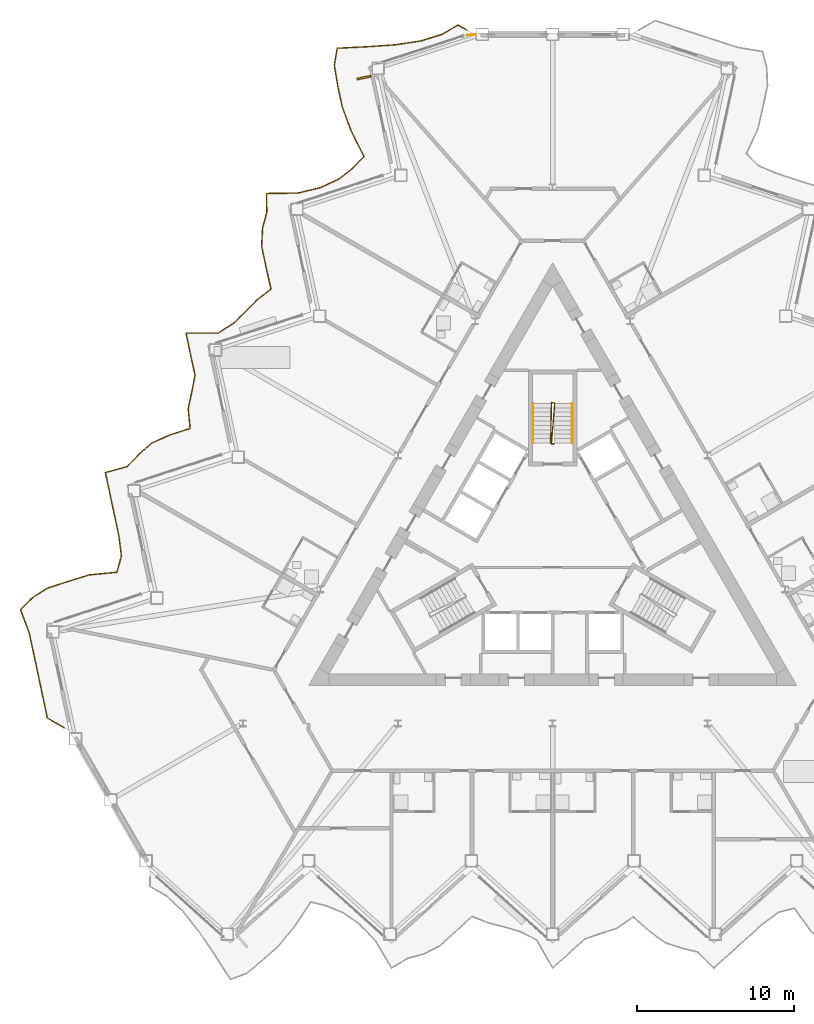
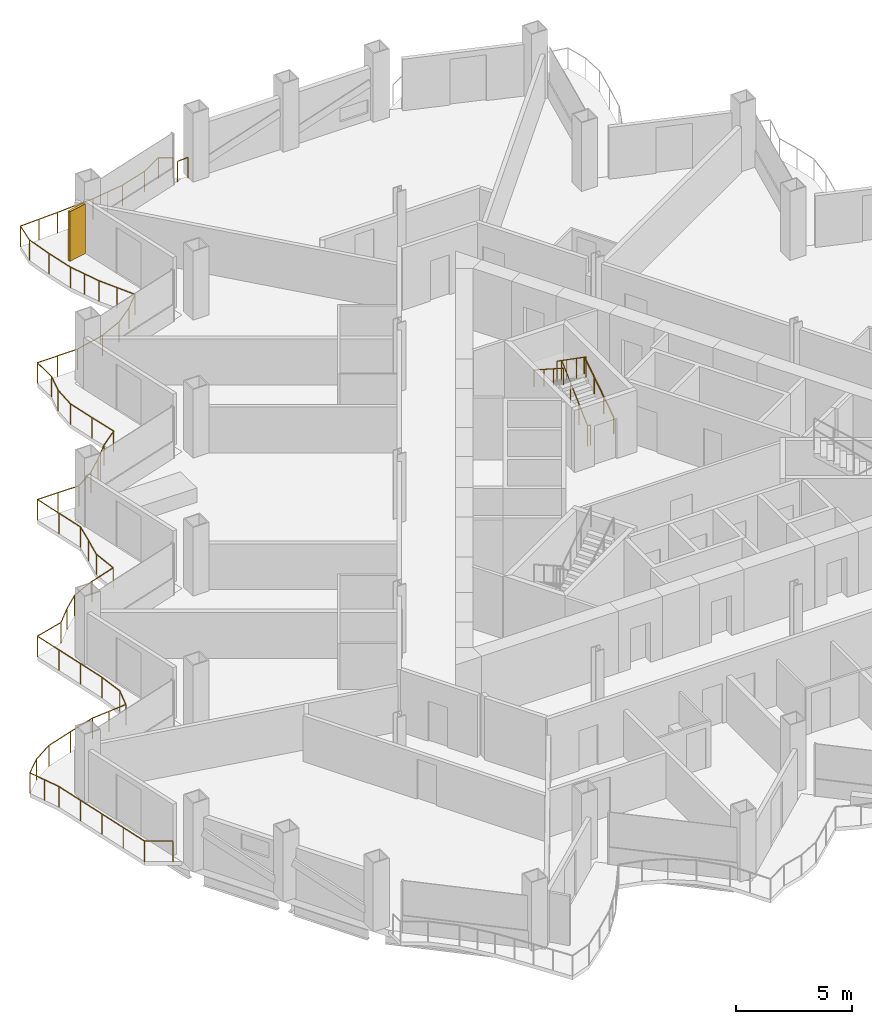
# One storey, part 20 of 23: 5 railings, 1 shading device.
"""IFC4 building model written with IfcOpenShell, lengths in metres."""

from ifc_helpers import new_model, si_unit, direction, frame, origin, origin_2d, place, context, subcontext, project, spatial, rectangle, circle, extrude, material, layer, layer_set, type_object, element, save


model = new_model("IFC4")

# Units and contexts
model_context = context("Model", 3, precision=1e-05, world=origin(), true_north=direction((0.0, 1.0)))
body_context = subcontext(model_context, "Body", "Model", "MODEL_VIEW")
ifc_project = project(units=[si_unit("LENGTHUNIT", "METRE"), si_unit("AREAUNIT", "SQUARE_METRE"), si_unit("VOLUMEUNIT", "CUBIC_METRE"), si_unit("PLANEANGLEUNIT", "RADIAN"), si_unit("MASSUNIT", "GRAM", prefix="KILO")], contexts=[model_context])

# Site, building, storey
site_placement = place(None, origin())
site = spatial("IfcSite", under=ifc_project, at=site_placement, CompositionType="ELEMENT")
building_placement = place(site_placement, origin())
building = spatial("IfcBuilding", under=site, at=building_placement, Name="Cormorant Prow Tower", CompositionType="ELEMENT")
storey_placement = place(building_placement, frame((0.0, 0.0, 172.800048828125)))
storey = spatial("IfcBuildingStorey", under=building, at=storey_placement, Name="L36", CompositionType="ELEMENT", Elevation=172.800048828125)

# Railings
ifc_material_1 = material(Name="Aluminium 6063-T6", Category="aluminium")
railing_type_1 = type_object("IfcRailingType", Name="Balcony guard 1100", PredefinedType="GUARDRAIL", material=ifc_material_1)
railing_1_placement = place(storey_placement, frame((-5.452880859375, 32.683837890625, 0.0)))
element("IfcRailing", 1, at=railing_1_placement, inside=storey, type_object=railing_type_1, Name="Balcony guard WNW", PredefinedType="GUARDRAIL", context=body_context, shape_type="SweptSolid", body=[
    extrude(circle(Radius=0.02392578125, at=origin_2d()), frame((0.0, 0.0, 1.076171875), z_axis=(-0.866038622153, 0.499977104415, 0.0), x_axis=(-0.499977104415, -0.866038622153, 0.0)), (0.0, 0.0, 1.0), 0.63623046875),
    extrude(circle(Radius=0.02392578125, at=origin_2d()), frame((-0.551025390625, 0.318115234375, 1.076171875), z_axis=(-0.866663041121, -0.498893949809, 0.0), x_axis=(0.498893949809, -0.866663041121, 0.0)), (0.0, 0.0, 1.0), 1.182373046875),
    extrude(circle(Radius=0.02392578125, at=origin_2d()), frame((-1.57568359375, -0.271728515625, 1.076171875), z_axis=(-0.953826861805, -0.300356983769, 0.0), x_axis=(0.300356983769, -0.953826861805, 0.0)), (0.0, 0.0, 1.0), 1.388427734375),
    extrude(circle(Radius=0.02392578125, at=origin_2d()), frame((-2.89990234375, -0.688720703125, 1.076171875), z_axis=(-0.988627028281, -0.150388160943, 0.0), x_axis=(0.150388160943, -0.988627028281, 0.0)), (0.0, 0.0, 1.0), 1.637939453125),
    extrude(circle(Radius=0.02392578125, at=origin_2d()), frame((-4.519287109375, -0.93505859375, 1.076171875), z_axis=(-0.997592938888, -0.069342110443, 0.0), x_axis=(0.069342110443, -0.997592938888, 0.0)), (0.0, 0.0, 1.0), 1.830810546875),
    extrude(circle(Radius=0.02392578125, at=origin_2d()), frame((-6.345703125, -1.06201171875, 1.076171875), z_axis=(-0.998798653488, -0.049002548825, 0.0), x_axis=(0.049002548825, -0.998798653488, 0.0)), (0.0, 0.0, 1.0), 1.88818359375),
    extrude(circle(Radius=0.02392578125, at=origin_2d()), frame((-8.231689453125, -1.154541015625, 1.076171875), z_axis=(-0.169914413175, -0.985458823186, 0.0), x_axis=(0.985458823186, -0.169914413175, 0.0)), (0.0, 0.0, 1.0), 1.090576171875),
    extrude(circle(Radius=0.02392578125, at=origin_2d()), frame((-8.4169921875, -2.229248046875, 1.076171875), z_axis=(0.163531909197, -0.986538045224, 0.0), x_axis=(0.986538045224, 0.163531909197, 0.0)), (0.0, 0.0, 1.0), 1.32421875),
    extrude(circle(Radius=0.02392578125, at=origin_2d()), frame((-8.200439453125, -3.53564453125, 1.076171875), z_axis=(0.208002968159, -0.978128194685, 0.0), x_axis=(0.978128194685, 0.208002968159, 0.0)), (0.0, 0.0, 1.0), 1.376708984375),
    extrude(circle(Radius=0.02392578125, at=origin_2d()), frame((-7.9140625, -4.88232421875, 1.076171875), z_axis=(0.347145599301, -0.937811245873, 0.0), x_axis=(0.937811245873, 0.347145599301, 0.0)), (0.0, 0.0, 1.0), 1.60205078125),
    extrude(circle(Radius=0.02392578125, at=origin_2d()), frame((-7.35791015625, -6.384765625, 1.076171875), z_axis=(0.446212366822, -0.894927105241, 0.0), x_axis=(0.894927105241, 0.446212366822, 0.0)), (0.0, 0.0, 1.0), 1.853759765625),
    extrude(circle(Radius=0.02392578125, at=origin_2d()), frame((-6.53076171875, -8.043701171875, 1.076171875), z_axis=(-0.700724814404, -0.713431660692, 0.0), x_axis=(0.713431660692, -0.700724814404, 0.0)), (0.0, 0.0, 1.0), 1.056640625),
    extrude(circle(Radius=0.02392578125, at=origin_2d()), frame((-7.271240234375, -8.797607421875, 1.076171875), z_axis=(-0.791037314197, -0.611767903332, 0.0), x_axis=(0.611767903332, -0.791037314197, 0.0)), (0.0, 0.0, 1.0), 1.105712890625),
    extrude(circle(Radius=0.02392578125, at=origin_2d()), frame((-8.14599609375, -9.47412109375, 1.076171875), z_axis=(-0.90658206108, -0.422029580158, 0.0), x_axis=(0.422029580158, -0.90658206108, 0.0)), (0.0, 0.0, 1.0), 1.24951171875),
    extrude(circle(Radius=0.02392578125, at=origin_2d()), frame((-9.27880859375, -10.00146484375, 1.076171875), z_axis=(-0.971860383997, -0.23555762356, 0.0), x_axis=(0.23555762356, -0.971860383997, 0.0)), (0.0, 0.0, 1.0), 1.483154296875),
    extrude(circle(Radius=0.02392578125, at=origin_2d()), frame((-10.72021484375, -10.350830078125, 1.076171875), z_axis=(-0.999908124347, -0.01355517853, 0.0), x_axis=(0.01355517853, -0.999908124347, 0.0)), (0.0, 0.0, 1.0), 1.999267578125),
    extrude(circle(Radius=0.02392578125, at=origin_2d()), frame((-12.71923828125, -10.3779296875, 1.076171875), z_axis=(0.012106643957, -0.9999267119, 0.0), x_axis=(0.9999267119, 0.012106643957, 0.0)), (0.0, 0.0, 1.0), 1.189697265625),
    extrude(circle(Radius=0.02392578125, at=origin_2d()), frame((-12.704833984375, -11.567626953125, 1.076171875), z_axis=(-0.253836229933, -0.967247211613, 0.0), x_axis=(0.967247211613, -0.253836229933, 0.0)), (0.0, 0.0, 1.0), 1.060791015625),
    extrude(circle(Radius=0.02392578125, at=origin_2d()), frame((-12.97412109375, -12.59375, 1.076171875), z_axis=(-0.048381770331, -0.998828916431, 0.0), x_axis=(0.998828916431, -0.048381770331, 0.0)), (0.0, 0.0, 1.0), 1.150634765625),
    extrude(circle(Radius=0.02392578125, at=origin_2d()), frame((-13.02978515625, -13.742919921875, 1.076171875), z_axis=(0.208002968159, -0.978128194685, 0.0), x_axis=(0.978128194685, 0.208002968159, 0.0)), (0.0, 0.0, 1.0), 1.376708984375),
    extrude(circle(Radius=0.02392578125, at=origin_2d()), frame((-12.743408203125, -15.089599609375, 1.076171875), z_axis=(0.218584635198, -0.975817993919, 0.0), x_axis=(0.975817993919, 0.218584635198, 0.0)), (0.0, 0.0, 1.0), 1.390625),
    extrude(circle(Radius=0.02392578125, at=origin_2d()), frame((-12.439453125, -16.446533203125, 1.076171875), z_axis=(-0.786049268655, -0.618163851456, 0.0), x_axis=(0.618163851456, -0.786049268655, 0.0)), (0.0, 0.0, 1.0), 1.102294921875),
    extrude(circle(Radius=0.02392578125, at=origin_2d()), frame((-13.305908203125, -17.1279296875, 1.076171875), z_axis=(-0.699086114757, -0.715037484439, 0.0), x_axis=(0.715037484439, -0.699086114757, 0.0)), (0.0, 0.0, 1.0), 1.05615234375),
    extrude(circle(Radius=0.02392578125, at=origin_2d()), frame((-14.044189453125, -17.883056640625, 1.076171875), z_axis=(-0.724845128214, -0.688911852202, 0.0), x_axis=(0.688911852202, -0.724845128214, 0.0)), (0.0, 0.0, 1.0), 1.066650390625),
    extrude(circle(Radius=0.02392578125, at=origin_2d()), frame((-14.8173828125, -18.617919921875, 1.076171875), z_axis=(-0.837767194075, -0.546027589534, 0.0), x_axis=(0.546027589534, -0.837767194075, 0.0)), (0.0, 0.0, 1.0), 1.147216796875),
    extrude(circle(Radius=0.02392578125, at=origin_2d()), frame((-15.778564453125, -19.244384765625, 1.076171875), z_axis=(-0.999995940652, 0.002849329523, 0.0), x_axis=(-0.002849329523, -0.999995940652, 0.0)), (0.0, 0.0, 1.0), 2.056396484375),
    extrude(circle(Radius=0.02392578125, at=origin_2d()), frame((-17.8349609375, -19.238525390625, 1.076171875), z_axis=(0.207833305176, -0.978164258834, 0.0), x_axis=(0.978164258834, 0.207833305176, 0.0)), (0.0, 0.0, 1.0), 1.376708984375),
    extrude(circle(Radius=0.02392578125, at=origin_2d()), frame((-17.548828125, -20.585205078125, 1.076171875), z_axis=(0.208002968159, -0.978128194685, 0.0), x_axis=(0.978128194685, 0.208002968159, 0.0)), (0.0, 0.0, 1.0), 1.376708984375),
    extrude(circle(Radius=0.02392578125, at=origin_2d()), frame((-17.262451171875, -21.931884765625, 1.076171875), z_axis=(-0.189909697907, -0.981801561743, 0.0), x_axis=(0.981801561743, -0.189909697907, 0.0)), (0.0, 0.0, 1.0), 1.08251953125),
    extrude(circle(Radius=0.02392578125, at=origin_2d()), frame((-17.468017578125, -22.99462890625, 1.076171875), z_axis=(-0.209063998537, -0.977901960585, 0.0), x_axis=(0.977901960585, -0.209063998537, 0.0)), (0.0, 0.0, 1.0), 1.075439453125),
    extrude(circle(Radius=0.02392578125, at=origin_2d()), frame((-17.69287109375, -24.04638671875, 1.076171875), z_axis=(0.095423555182, -0.995436760983, 0.0), x_axis=(0.995436760983, 0.095423555182, 0.0)), (0.0, 0.0, 1.0), 1.256103515625),
    extrude(circle(Radius=0.02392578125, at=origin_2d()), frame((-17.572998046875, -25.296875, 1.076171875), z_axis=(-0.951032765546, -0.309090082108, 0.0), x_axis=(0.309090082108, -0.951032765546, 0.0)), (0.0, 0.0, 1.0), 1.376708984375),
    extrude(circle(Radius=0.02392578125, at=origin_2d()), frame((-18.88232421875, -25.722412109375, 1.076171875), z_axis=(-0.911438592886, -0.41143613283, 0.0), x_axis=(0.41143613283, -0.911438592886, 0.0)), (0.0, 0.0, 1.0), 1.259765625),
    extrude(circle(Radius=0.02392578125, at=origin_2d()), frame((-20.030517578125, -26.24072265625, 1.076171875), z_axis=(-0.743440776752, -0.668801772922, 0.0), x_axis=(0.668801772922, -0.743440776752, 0.0)), (0.0, 0.0, 1.0), 1.076171875),
    extrude(circle(Radius=0.02392578125, at=origin_2d()), frame((-20.83056640625, -26.96044921875, 1.076171875), z_axis=(-0.694255556415, -0.719728575497, 0.0), x_axis=(0.719728575497, -0.694255556415, 0.0)), (0.0, 0.0, 1.0), 1.05419921875),
    extrude(circle(Radius=0.02392578125, at=origin_2d()), frame((-21.5625, -27.71923828125, 1.076171875), z_axis=(-0.964536414051, -0.263949817141, 0.0), x_axis=(0.263949817141, -0.964536414051, 0.0)), (0.0, 0.0, 1.0), 1.439208984375),
    extrude(circle(Radius=0.02392578125, at=origin_2d()), frame((-22.95068359375, -28.09912109375, 1.076171875), z_axis=(0.207797260524, -0.978171916648, 0.0), x_axis=(0.978171916648, 0.207797260524, 0.0)), (0.0, 0.0, 1.0), 1.376953125),
    extrude(circle(Radius=0.02392578125, at=origin_2d()), frame((-22.66455078125, -29.446044921875, 1.076171875), z_axis=(0.208039051809, -0.978120520653, 0.0), x_axis=(0.978120520653, 0.208039051809, 0.0)), (0.0, 0.0, 1.0), 1.37646484375),
    extrude(circle(Radius=0.02392578125, at=origin_2d()), frame((-22.378173828125, -30.79248046875, 1.076171875), z_axis=(0.207833305176, -0.978164258834, 0.0), x_axis=(0.978164258834, 0.207833305176, 0.0)), (0.0, 0.0, 1.0), 1.376708984375),
    extrude(circle(Radius=0.02392578125, at=origin_2d()), frame((-22.092041015625, -32.13916015625, 1.076171875), z_axis=(0.121947285507, -0.992536578448, 0.0), x_axis=(0.992536578448, 0.121947285507, 0.0)), (0.0, 0.0, 1.0), 1.28125),
    extrude(circle(Radius=0.02392578125, at=origin_2d()), frame((-21.935791015625, -33.410888671875, 1.076171875), z_axis=(-0.270290231117, -0.962778889965, 0.0), x_axis=(0.962778889965, -0.270290231117, 0.0)), (0.0, 0.0, 1.0), 1.055908203125),
    extrude(circle(Radius=0.02392578125, at=origin_2d()), frame((-22.22119140625, -34.427490234375, 1.076171875), z_axis=(-0.995438663589, -0.095403705552, 0.0), x_axis=(0.095403705552, -0.995438663589, 0.0)), (0.0, 0.0, 1.0), 1.76318359375),
    extrude(circle(Radius=0.02392578125, at=origin_2d()), frame((-23.976318359375, -34.595703125, 1.076171875), z_axis=(-0.955113715123, -0.296239415311, 0.0), x_axis=(0.296239415311, -0.955113715123, 0.0)), (0.0, 0.0, 1.0), 1.3935546875),
    extrude(circle(Radius=0.02392578125, at=origin_2d()), frame((-25.307373046875, -35.008544921875, 1.076171875), z_axis=(-0.951084882537, -0.308929678422, 0.0), x_axis=(0.308929678422, -0.951084882537, 0.0)), (0.0, 0.0, 1.0), 1.376708984375),
    extrude(circle(Radius=0.02392578125, at=origin_2d()), frame((-26.61669921875, -35.433837890625, 1.076171875), z_axis=(-0.84373988397, -0.536752278243, 0.0), x_axis=(0.536752278243, -0.84373988397, 0.0)), (0.0, 0.0, 1.0), 1.154052734375),
    extrude(circle(Radius=0.02392578125, at=origin_2d()), frame((-27.59033203125, -36.05322265625, 1.076171875), z_axis=(-0.711578739804, -0.702606359962, 0.0), x_axis=(0.702606359962, -0.711578739804, 0.0)), (0.0, 0.0, 1.0), 1.061279296875),
    extrude(circle(Radius=0.02392578125, at=origin_2d()), frame((-28.345458984375, -36.798828125, 1.076171875), z_axis=(0.350990514633, -0.936379014416, 0.0), x_axis=(0.936379014416, 0.350990514633, 0.0)), (0.0, 0.0, 1.0), 1.6103515625),
    extrude(circle(Radius=0.02392578125, at=origin_2d()), frame((-27.7802734375, -38.306640625, 1.076171875), z_axis=(0.208002968159, -0.978128194685, 0.0), x_axis=(0.978128194685, 0.208002968159, 0.0)), (0.0, 0.0, 1.0), 1.376708984375),
    extrude(circle(Radius=0.02392578125, at=origin_2d()), frame((-27.493896484375, -39.6533203125, 1.076171875), z_axis=(0.207833305176, -0.978164258834, 0.0), x_axis=(0.978164258834, 0.207833305176, 0.0)), (0.0, 0.0, 1.0), 1.376708984375),
    extrude(circle(Radius=0.02392578125, at=origin_2d()), frame((-27.207763671875, -41.0, 1.076171875), z_axis=(0.207833305176, -0.978164258834, 0.0), x_axis=(0.978164258834, 0.207833305176, 0.0)), (0.0, 0.0, 1.0), 1.376708984375),
    extrude(circle(Radius=0.02392578125, at=origin_2d()), frame((-26.921630859375, -42.3466796875, 1.076171875), z_axis=(0.208002968159, -0.978128194685, 0.0), x_axis=(0.978128194685, 0.208002968159, 0.0)), (0.0, 0.0, 1.0), 1.376708984375),
    extrude(circle(Radius=0.02392578125, at=origin_2d()), frame((-26.63525390625, -43.693359375, 1.076171875), z_axis=(0.866092288191, -0.499884134912, 0.0), x_axis=(0.499884134912, 0.866092288191, 0.0)), (0.0, 0.0, 1.0), 1.219970703125),
    extrude(circle(Radius=0.02099609375, at=origin_2d()), origin(), (0.0, 0.0, 1.0), 1.052001953125),
    extrude(circle(Radius=0.02099609375, at=origin_2d()), frame((-0.551025390625, 0.318115234375, 0.0)), (0.0, 0.0, 1.0), 1.052001953125),
    extrude(circle(Radius=0.02099609375, at=origin_2d()), frame((-1.57568359375, -0.271728515625, 0.0)), (0.0, 0.0, 1.0), 1.052001953125),
    extrude(circle(Radius=0.02099609375, at=origin_2d()), frame((-2.89990234375, -0.688720703125, 0.0)), (0.0, 0.0, 1.0), 1.052001953125),
    extrude(circle(Radius=0.02099609375, at=origin_2d()), frame((-3.70947265625, -0.81201171875, 0.0)), (0.0, 0.0, 1.0), 1.052001953125),
    extrude(circle(Radius=0.02099609375, at=origin_2d()), frame((-4.519287109375, -0.93505859375, 0.0)), (0.0, 0.0, 1.0), 1.052001953125),
    extrude(circle(Radius=0.02099609375, at=origin_2d()), frame((-5.4326171875, -0.99853515625, 0.0)), (0.0, 0.0, 1.0), 1.052001953125),
    extrude(circle(Radius=0.02099609375, at=origin_2d()), frame((-6.345703125, -1.06201171875, 0.0)), (0.0, 0.0, 1.0), 1.052001953125),
    extrude(circle(Radius=0.02099609375, at=origin_2d()), frame((-7.28857421875, -1.1083984375, 0.0)), (0.0, 0.0, 1.0), 1.052001953125),
    extrude(circle(Radius=0.02099609375, at=origin_2d()), frame((-8.231689453125, -1.154541015625, 0.0)), (0.0, 0.0, 1.0), 1.052001953125),
    extrude(circle(Radius=0.02099609375, at=origin_2d()), frame((-8.4169921875, -2.229248046875, 0.0)), (0.0, 0.0, 1.0), 1.052001953125),
    extrude(circle(Radius=0.02099609375, at=origin_2d()), frame((-8.200439453125, -3.53564453125, 0.0)), (0.0, 0.0, 1.0), 1.052001953125),
    extrude(circle(Radius=0.02099609375, at=origin_2d()), frame((-7.9140625, -4.88232421875, 0.0)), (0.0, 0.0, 1.0), 1.052001953125),
    extrude(circle(Radius=0.02099609375, at=origin_2d()), frame((-7.635986328125, -5.633544921875, 0.0)), (0.0, 0.0, 1.0), 1.052001953125),
    extrude(circle(Radius=0.02099609375, at=origin_2d()), frame((-7.35791015625, -6.384765625, 0.0)), (0.0, 0.0, 1.0), 1.052001953125),
    extrude(circle(Radius=0.02099609375, at=origin_2d()), frame((-6.9443359375, -7.21435546875, 0.0)), (0.0, 0.0, 1.0), 1.052001953125),
    extrude(circle(Radius=0.02099609375, at=origin_2d()), frame((-6.53076171875, -8.043701171875, 0.0)), (0.0, 0.0, 1.0), 1.052001953125),
    extrude(circle(Radius=0.02099609375, at=origin_2d()), frame((-7.271240234375, -8.797607421875, 0.0)), (0.0, 0.0, 1.0), 1.052001953125),
    extrude(circle(Radius=0.02099609375, at=origin_2d()), frame((-8.14599609375, -9.47412109375, 0.0)), (0.0, 0.0, 1.0), 1.052001953125),
    extrude(circle(Radius=0.02099609375, at=origin_2d()), frame((-9.27880859375, -10.00146484375, 0.0)), (0.0, 0.0, 1.0), 1.052001953125),
    extrude(circle(Radius=0.02099609375, at=origin_2d()), frame((-10.72021484375, -10.350830078125, 0.0)), (0.0, 0.0, 1.0), 1.052001953125),
    extrude(circle(Radius=0.02099609375, at=origin_2d()), frame((-11.7197265625, -10.3642578125, 0.0)), (0.0, 0.0, 1.0), 1.052001953125),
    extrude(circle(Radius=0.02099609375, at=origin_2d()), frame((-12.71923828125, -10.3779296875, 0.0)), (0.0, 0.0, 1.0), 1.052001953125),
    extrude(circle(Radius=0.02099609375, at=origin_2d()), frame((-12.704833984375, -11.567626953125, 0.0)), (0.0, 0.0, 1.0), 1.052001953125),
    extrude(circle(Radius=0.02099609375, at=origin_2d()), frame((-12.97412109375, -12.59375, 0.0)), (0.0, 0.0, 1.0), 1.052001953125),
    extrude(circle(Radius=0.02099609375, at=origin_2d()), frame((-13.02978515625, -13.742919921875, 0.0)), (0.0, 0.0, 1.0), 1.052001953125),
    extrude(circle(Radius=0.02099609375, at=origin_2d()), frame((-12.743408203125, -15.089599609375, 0.0)), (0.0, 0.0, 1.0), 1.052001953125),
    extrude(circle(Radius=0.02099609375, at=origin_2d()), frame((-12.439453125, -16.446533203125, 0.0)), (0.0, 0.0, 1.0), 1.052001953125),
    extrude(circle(Radius=0.02099609375, at=origin_2d()), frame((-13.305908203125, -17.1279296875, 0.0)), (0.0, 0.0, 1.0), 1.052001953125),
    extrude(circle(Radius=0.02099609375, at=origin_2d()), frame((-14.044189453125, -17.883056640625, 0.0)), (0.0, 0.0, 1.0), 1.052001953125),
    extrude(circle(Radius=0.02099609375, at=origin_2d()), frame((-14.8173828125, -18.617919921875, 0.0)), (0.0, 0.0, 1.0), 1.052001953125),
    extrude(circle(Radius=0.02099609375, at=origin_2d()), frame((-15.778564453125, -19.244384765625, 0.0)), (0.0, 0.0, 1.0), 1.052001953125),
    extrude(circle(Radius=0.02099609375, at=origin_2d()), frame((-16.806640625, -19.241455078125, 0.0)), (0.0, 0.0, 1.0), 1.052001953125),
    extrude(circle(Radius=0.02099609375, at=origin_2d()), frame((-17.8349609375, -19.238525390625, 0.0)), (0.0, 0.0, 1.0), 1.052001953125),
    extrude(circle(Radius=0.02099609375, at=origin_2d()), frame((-17.548828125, -20.585205078125, 0.0)), (0.0, 0.0, 1.0), 1.052001953125),
    extrude(circle(Radius=0.02099609375, at=origin_2d()), frame((-17.262451171875, -21.931884765625, 0.0)), (0.0, 0.0, 1.0), 1.052001953125),
    extrude(circle(Radius=0.02099609375, at=origin_2d()), frame((-17.468017578125, -22.99462890625, 0.0)), (0.0, 0.0, 1.0), 1.052001953125),
    extrude(circle(Radius=0.02099609375, at=origin_2d()), frame((-17.69287109375, -24.04638671875, 0.0)), (0.0, 0.0, 1.0), 1.052001953125),
    extrude(circle(Radius=0.02099609375, at=origin_2d()), frame((-17.572998046875, -25.296875, 0.0)), (0.0, 0.0, 1.0), 1.052001953125),
    extrude(circle(Radius=0.02099609375, at=origin_2d()), frame((-18.88232421875, -25.722412109375, 0.0)), (0.0, 0.0, 1.0), 1.052001953125),
    extrude(circle(Radius=0.02099609375, at=origin_2d()), frame((-20.030517578125, -26.24072265625, 0.0)), (0.0, 0.0, 1.0), 1.052001953125),
    extrude(circle(Radius=0.02099609375, at=origin_2d()), frame((-20.83056640625, -26.96044921875, 0.0)), (0.0, 0.0, 1.0), 1.052001953125),
    extrude(circle(Radius=0.02099609375, at=origin_2d()), frame((-21.5625, -27.71923828125, 0.0)), (0.0, 0.0, 1.0), 1.052001953125),
    extrude(circle(Radius=0.02099609375, at=origin_2d()), frame((-22.95068359375, -28.09912109375, 0.0)), (0.0, 0.0, 1.0), 1.052001953125),
    extrude(circle(Radius=0.02099609375, at=origin_2d()), frame((-22.66455078125, -29.446044921875, 0.0)), (0.0, 0.0, 1.0), 1.052001953125),
    extrude(circle(Radius=0.02099609375, at=origin_2d()), frame((-22.378173828125, -30.79248046875, 0.0)), (0.0, 0.0, 1.0), 1.052001953125),
    extrude(circle(Radius=0.02099609375, at=origin_2d()), frame((-22.092041015625, -32.13916015625, 0.0)), (0.0, 0.0, 1.0), 1.052001953125),
    extrude(circle(Radius=0.02099609375, at=origin_2d()), frame((-21.935791015625, -33.410888671875, 0.0)), (0.0, 0.0, 1.0), 1.052001953125),
    extrude(circle(Radius=0.02099609375, at=origin_2d()), frame((-22.22119140625, -34.427490234375, 0.0)), (0.0, 0.0, 1.0), 1.052001953125),
    extrude(circle(Radius=0.02099609375, at=origin_2d()), frame((-23.0986328125, -34.51171875, 0.0)), (0.0, 0.0, 1.0), 1.052001953125),
    extrude(circle(Radius=0.02099609375, at=origin_2d()), frame((-23.976318359375, -34.595703125, 0.0)), (0.0, 0.0, 1.0), 1.052001953125),
    extrude(circle(Radius=0.02099609375, at=origin_2d()), frame((-25.307373046875, -35.008544921875, 0.0)), (0.0, 0.0, 1.0), 1.052001953125),
    extrude(circle(Radius=0.02099609375, at=origin_2d()), frame((-26.61669921875, -35.433837890625, 0.0)), (0.0, 0.0, 1.0), 1.052001953125),
    extrude(circle(Radius=0.02099609375, at=origin_2d()), frame((-27.59033203125, -36.05322265625, 0.0)), (0.0, 0.0, 1.0), 1.052001953125),
    extrude(circle(Radius=0.02099609375, at=origin_2d()), frame((-28.345458984375, -36.798828125, 0.0)), (0.0, 0.0, 1.0), 1.052001953125),
    extrude(circle(Radius=0.02099609375, at=origin_2d()), frame((-28.06298828125, -37.552734375, 0.0)), (0.0, 0.0, 1.0), 1.052001953125),
    extrude(circle(Radius=0.02099609375, at=origin_2d()), frame((-27.7802734375, -38.306640625, 0.0)), (0.0, 0.0, 1.0), 1.052001953125),
    extrude(circle(Radius=0.02099609375, at=origin_2d()), frame((-27.493896484375, -39.6533203125, 0.0)), (0.0, 0.0, 1.0), 1.052001953125),
    extrude(circle(Radius=0.02099609375, at=origin_2d()), frame((-27.207763671875, -41.0, 0.0)), (0.0, 0.0, 1.0), 1.052001953125),
    extrude(circle(Radius=0.02099609375, at=origin_2d()), frame((-26.921630859375, -42.3466796875, 0.0)), (0.0, 0.0, 1.0), 1.052001953125),
    extrude(circle(Radius=0.02099609375, at=origin_2d()), frame((-26.63525390625, -43.693359375, 0.0)), (0.0, 0.0, 1.0), 1.052001953125),
    extrude(circle(Radius=0.02099609375, at=origin_2d()), frame((-25.57861328125, -44.30322265625, 0.0)), (0.0, 0.0, 1.0), 1.052001953125),
])
ifc_material_2 = material(Name="Stainless steel", Category="steel")
railing_type_2 = type_object("IfcRailingType", Name="Facade corner guard 1100", PredefinedType="GUARDRAIL", material=ifc_material_2)
railing_2_placement = place(storey_placement, frame((-5.416015625, 32.35205078125, 0.0)))
element("IfcRailing", 2, at=railing_2_placement, inside=storey, type_object=railing_type_2, Name="Facade corner guard L36 1", PredefinedType="GUARDRAIL", context=body_context, shape_type="SweptSolid", body=[
    extrude(circle(Radius=0.02392578125, at=origin_2d()), frame((0.0, 0.0, 1.076171875), z_axis=(0.996787247291, 0.080094841515, 0.0), x_axis=(-0.080094841515, 0.996787247291, 0.0)), (0.0, 0.0, 1.0), 0.52734375),
    extrude(circle(Radius=0.02099609375, at=origin_2d()), origin(), (0.0, 0.0, 1.0), 1.052001953125),
    extrude(circle(Radius=0.02099609375, at=origin_2d()), frame((0.525634765625, 0.042236328125, 0.0)), (0.0, 0.0, 1.0), 1.052001953125),
])
ifc_material_3 = material(Name="Stainless steel", Category="steel")
railing_type_3 = type_object("IfcRailingType", Name="Stair guard 1100", PredefinedType="GUARDRAIL", material=ifc_material_3)
railing_3_placement = place(storey_placement, frame((0.074951171875, 6.40576171875, 0.0)))
element("IfcRailing", 3, at=railing_3_placement, inside=storey, type_object=railing_type_3, Name="L36 ST3 stair guard 1", PredefinedType="GUARDRAIL", context=body_context, shape_type="SweptSolid", body=[
    extrude(circle(Radius=0.02392578125, at=origin_2d()), frame((0.0, 0.0, 1.076171875), z_axis=(-1.0, 0.0, 0.0), x_axis=(0.0, -1.0, 0.0)), (0.0, 0.0, 1.0), 0.14990234375),
    extrude(circle(Radius=0.02392578125, at=origin_2d()), frame((-0.14990234375, 0.0, 1.076171875), z_axis=(0.063595540489, 0.817423998443, 0.572515164864), x_axis=(-0.996987254287, 0.077565551559, 0.0)), (0.0, 0.0, 1.0), 3.14404296875),
    extrude(circle(Radius=0.02392578125, at=origin_2d()), frame((0.050048828125, 2.570068359375, 2.8759765625), z_axis=(-0.970072785993, 0.242814311512, 0.0), x_axis=(-0.242814311512, -0.970072785993, 0.0)), (0.0, 0.0, 1.0), 0.2060546875),
    extrude(circle(Radius=0.02392578125, at=origin_2d()), frame((-0.14990234375, 2.6201171875, 2.8759765625), z_axis=(-0.015949268585, -0.819014392183, 0.573551258589), x_axis=(0.999810440751, -0.019470042781, 0.0)), (0.0, 0.0, 1.0), 3.137939453125),
    extrude(circle(Radius=0.02099609375, at=origin_2d()), origin(), (0.0, 0.0, 1.0), 1.052001953125),
    extrude(circle(Radius=0.02099609375, at=origin_2d()), frame((-0.14990234375, 0.0, 0.0)), (0.0, 0.0, 1.0), 1.052001953125),
    extrude(circle(Radius=0.02099609375, at=origin_2d()), frame((-0.083251953125, 0.856689453125, 0.60009765625)), (0.0, 0.0, 1.0), 1.052001953125),
    extrude(circle(Radius=0.02099609375, at=origin_2d()), frame((-0.0166015625, 1.71337890625, 1.199951171875)), (0.0, 0.0, 1.0), 1.052001953125),
    extrude(circle(Radius=0.02099609375, at=origin_2d()), frame((0.050048828125, 2.570068359375, 1.800048828125)), (0.0, 0.0, 1.0), 1.052001953125),
    extrude(circle(Radius=0.02099609375, at=origin_2d()), frame((-0.14990234375, 2.6201171875, 1.800048828125)), (0.0, 0.0, 1.0), 1.052001953125),
    extrude(circle(Radius=0.02099609375, at=origin_2d()), frame((-0.16650390625, 1.763427734375, 2.39990234375)), (0.0, 0.0, 1.0), 1.052001953125),
    extrude(circle(Radius=0.02099609375, at=origin_2d()), frame((-0.183349609375, 0.90673828125, 3.0)), (0.0, 0.0, 1.0), 1.052001953125),
    extrude(circle(Radius=0.02099609375, at=origin_2d()), frame((-0.199951171875, 0.050048828125, 3.599853515625)), (0.0, 0.0, 1.0), 1.052001953125),
])
ifc_material_4 = material(Name="Stainless steel", Category="steel")
railing_type_4 = type_object("IfcRailingType", Name="Stair handrail 900", PredefinedType="HANDRAIL", material=ifc_material_4)
railing_4_placement = place(storey_placement, frame((1.243896484375, 6.455810546875, 0.179931640625)))
element("IfcRailing", 4, at=railing_4_placement, inside=storey, type_object=railing_type_4, Name="L36 ST3 stair handrail 1", PredefinedType="HANDRAIL", context=body_context, shape_type="SweptSolid", body=[
    extrude(circle(Radius=0.02392578125, at=origin_2d()), frame((0.0, 0.0, 0.8759765625), z_axis=(0.0, 0.841162588446, 0.540782303519), x_axis=(-1.0, 0.0, 0.0)), (0.0, 0.0, 1.0), 2.995849609375),
    extrude(circle(Radius=0.02099609375, at=origin_2d()), origin(), (0.0, 0.0, 1.0), 0.851806640625),
    extrude(circle(Radius=0.02099609375, at=origin_2d()), frame((0.0, 0.840087890625, 0.5400390625)), (0.0, 0.0, 1.0), 0.851806640625),
    extrude(circle(Radius=0.02099609375, at=origin_2d()), frame((0.0, 1.679931640625, 1.080078125)), (0.0, 0.0, 1.0), 0.851806640625),
    extrude(circle(Radius=0.02099609375, at=origin_2d()), frame((0.0, 2.52001953125, 1.6201171875)), (0.0, 0.0, 1.0), 0.851806640625),
])
railing_5_placement = place(storey_placement, frame((-1.243896484375, 8.975830078125, 1.97998046875)))
element("IfcRailing", 5, at=railing_5_placement, inside=storey, type_object=railing_type_4, Name="L36 ST3 stair handrail 2", PredefinedType="HANDRAIL", context=body_context, shape_type="SweptSolid", body=[
    extrude(circle(Radius=0.02392578125, at=origin_2d()), frame((0.0, 0.0, 0.8759765625), z_axis=(0.0, -0.841199657755, 0.540724639528), x_axis=(1.0, 0.0, 0.0)), (0.0, 0.0, 1.0), 2.995849609375),
    extrude(circle(Radius=0.02099609375, at=origin_2d()), origin(), (0.0, 0.0, 1.0), 0.851806640625),
    extrude(circle(Radius=0.02099609375, at=origin_2d()), frame((0.0, -0.840087890625, 0.5400390625)), (0.0, 0.0, 1.0), 0.851806640625),
    extrude(circle(Radius=0.02099609375, at=origin_2d()), frame((0.0, -1.679931640625, 1.079833984375)), (0.0, 0.0, 1.0), 0.851806640625),
    extrude(circle(Radius=0.02099609375, at=origin_2d()), frame((0.0, -2.52001953125, 1.619873046875)), (0.0, 0.0, 1.0), 0.851806640625),
])

# Shading device
ifc_material_5 = material(Name="Terracotta", Category="masonry")
ifc_layer = layer(ifc_material_5, 0.1201171875)
ifc_layer_set = layer_set([ifc_layer], Name="Terracotta")
shading_device_type = type_object("IfcShadingDeviceType", Name="Terracotta baguette fin 120x900x2600", PredefinedType="USERDEFINED", material=ifc_layer_set)
shading_device_placement = place(storey_placement, frame((-11.98046875, 29.65869140625, 0.0), z_axis=(0.0, 0.0, 1.0), x_axis=(0.207911728478, -0.978147592729, 0.0)))
element("IfcShadingDevice", 6, at=shading_device_placement, inside=storey, type_object=shading_device_type, Name="Baguette fin WNW01", ObjectType="BAGUETTE", PredefinedType="USERDEFINED", context=body_context, shape_type="SweptSolid", body=[
    extrude(rectangle(XDim=0.1201171875, YDim=0.89990234375, at=origin_2d()), origin(), (0.0, 0.0, 1.0), 2.60009765625),
])

save(model, "model.ifc")
